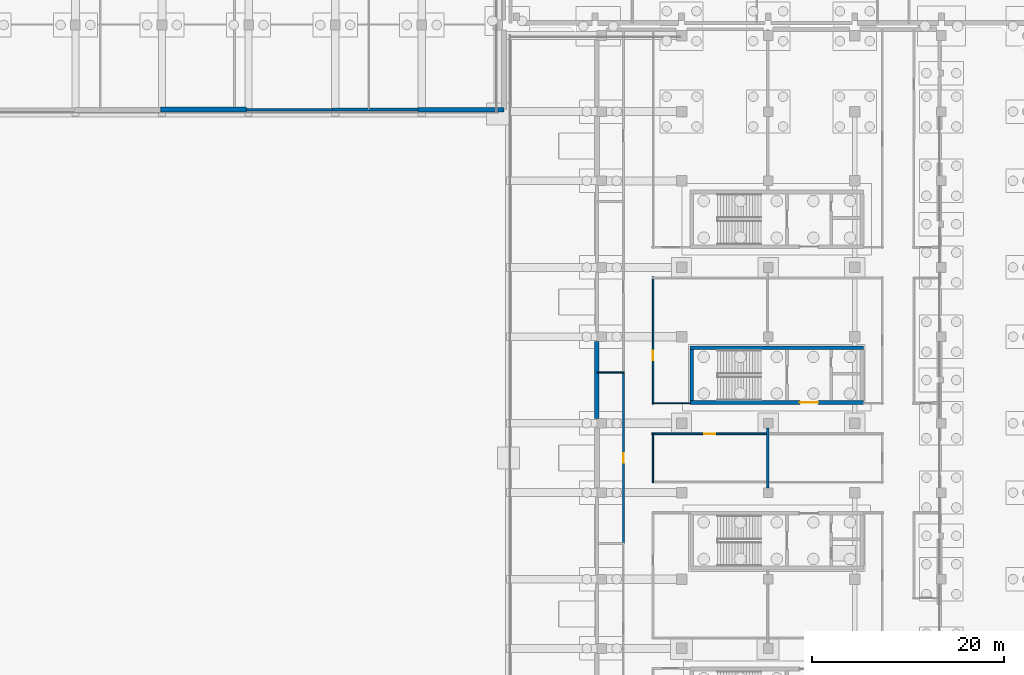
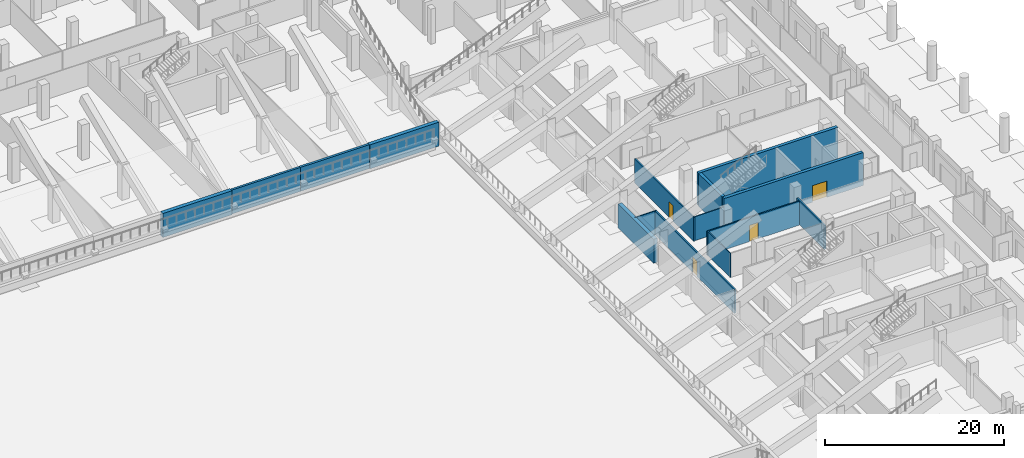
# One storey, part 29 of 53: 15 walls, 4 doors, 4 openings.
"""IFC4 building model written with IfcOpenShell, lengths in metres."""

from ifc_helpers import new_model, si_unit, direction, frame, frame_2d, origin, place, context, subcontext, project, spatial, rectangle, extrude, material, layer, layer_set, type_object, element, fill, save


model = new_model("IFC4")

# Units and contexts
model_context = context("Model", 3, precision=1e-05, world=origin(), true_north=direction((0.0, 1.0)))
body_context = subcontext(model_context, "Body", "Model", "MODEL_VIEW")
ifc_project = project(units=[si_unit("LENGTHUNIT", "METRE"), si_unit("AREAUNIT", "SQUARE_METRE"), si_unit("VOLUMEUNIT", "CUBIC_METRE"), si_unit("PLANEANGLEUNIT", "RADIAN"), si_unit("MASSUNIT", "GRAM", prefix="KILO"), si_unit("THERMODYNAMICTEMPERATUREUNIT", "KELVIN"), si_unit("POWERUNIT", "WATT")], contexts=[model_context])

# Site, building, storey
site_placement = place(None, origin())
site = spatial("IfcSite", under=ifc_project, at=site_placement, CompositionType="ELEMENT")
building_placement = place(site_placement, origin())
building = spatial("IfcBuilding", under=site, at=building_placement, Name="Sindhuravela Promenade Stadium", CompositionType="ELEMENT")
storey_placement = place(building_placement, origin())
storey = spatial("IfcBuildingStorey", under=building, at=storey_placement, Name="L00", CompositionType="ELEMENT", Elevation=0.0)

# Walls
ifc_material_1 = material(Name="Dholpur sandstone ashlar (45 MPa)", Category="masonry")
ifc_layer_1 = layer(ifc_material_1, 0.2900390625)
ifc_layer_set_1 = layer_set([ifc_layer_1], Name="Dholpur sandstone ashlar (45 MPa)")
wall_type_1 = type_object("IfcWallType", Name="EX-WL-SND290", PredefinedType="SOLIDWALL", material=ifc_layer_set_1)
wall_1_placement = place(storey_placement, frame((143.699951171875, 117.199951171875, 0.0), z_axis=(0.0, 0.0, 1.0), x_axis=(-1.0, 0.0, 0.0)))
element("IfcWall", 1, at=wall_1_placement, inside=storey, type_object=wall_type_1, Name="Exterior masonry wall EW10 NORTH L00", PredefinedType="SOLIDWALL", context=body_context, shape_type="SweptSolid", body=[
    extrude(rectangle(XDim=8.925048828125, YDim=0.2900390625, at=frame_2d((4.46240234375, 0.0))), origin(), (0.0, 0.0, 1.0), 3.280029296875),
])
ifc_layer_2 = layer(ifc_material_1, 0.31005859375)
ifc_layer_set_2 = layer_set([ifc_layer_2], Name="Dholpur sandstone ashlar (45 MPa)")
wall_type_2 = type_object("IfcWallType", Name="EX-WL-SND310", PredefinedType="SOLIDWALL", material=ifc_layer_set_2)
wall_2_placement = place(storey_placement, frame((152.625, 117.199951171875, 0.0), z_axis=(0.0, 0.0, 1.0), x_axis=(-1.0, 0.0, 0.0)))
element("IfcWall", 2, at=wall_2_placement, inside=storey, type_object=wall_type_2, Name="Exterior masonry wall EW09 NORTH L00", PredefinedType="SOLIDWALL", context=body_context, shape_type="SweptSolid", body=[
    extrude(rectangle(XDim=8.925048828125, YDim=0.31005859375, at=frame_2d((4.46240234375, 0.0))), origin(), (0.0, 0.0, 1.0), 3.280029296875),
])
ifc_layer_3 = layer(ifc_material_1, 0.47998046875)
ifc_layer_set_3 = layer_set([ifc_layer_3], Name="Dholpur sandstone ashlar (45 MPa)")
wall_type_3 = type_object("IfcWallType", Name="EX-WL-SND480", PredefinedType="SOLIDWALL", material=ifc_layer_set_3)
wall_3_placement = place(storey_placement, frame((171.199951171875, 85.10498046875, 0.0), z_axis=(0.0, 0.0, 1.0), x_axis=(0.0, 1.0, 0.0)))
element("IfcWall", 3, at=wall_3_placement, inside=storey, type_object=wall_type_3, Name="Exterior masonry wall EW08 EAST L00", PredefinedType="SOLIDWALL", context=body_context, shape_type="SweptSolid", body=[
    extrude(rectangle(XDim=7.989990234375, YDim=0.47998046875, at=frame_2d((3.9951171875, 0.0))), origin(), (0.0, 0.0, 1.0), 3.280029296875),
])
wall_4_placement = place(storey_placement, frame((161.550048828125, 117.199951171875, 0.0), z_axis=(0.0, 0.0, 1.0), x_axis=(-1.0, 0.0, 0.0)))
element("IfcWall", 4, at=wall_4_placement, inside=storey, type_object=wall_type_3, Name="Exterior masonry wall EW08 NORTH L00", PredefinedType="SOLIDWALL", context=body_context, shape_type="SweptSolid", body=[
    extrude(rectangle(XDim=8.925048828125, YDim=0.47998046875, at=frame_2d((4.46240234375, 0.0))), origin(), (0.0, 0.0, 1.0), 3.280029296875),
])
ifc_layer_4 = layer(ifc_material_1, 0.5)
ifc_layer_set_4 = layer_set([ifc_layer_4], Name="Dholpur sandstone ashlar (45 MPa)")
wall_type_4 = type_object("IfcWallType", Name="EX-WL-SND500", PredefinedType="SOLIDWALL", material=ifc_layer_set_4)
wall_5_placement = place(storey_placement, frame((134.77490234375, 117.199951171875, 0.0), z_axis=(0.0, 0.0, 1.0), x_axis=(-1.0, 0.0, 0.0)))
element("IfcWall", 5, at=wall_5_placement, inside=storey, type_object=wall_type_4, Name="Exterior masonry wall EW07 NORTH L00", PredefinedType="SOLIDWALL", context=body_context, shape_type="SweptSolid", body=[
    extrude(rectangle(XDim=8.9248046875, YDim=0.5, at=frame_2d((4.46240234375, 0.0))), origin(), (0.0, 0.0, 1.0), 3.280029296875),
])
ifc_material_2 = material(Name="Fire-rated gypsum partition board", Category="gypsum")
ifc_layer_5 = layer(ifc_material_2, 0.110107421875)
ifc_layer_set_5 = layer_set([ifc_layer_5], Name="Fire-rated gypsum partition board")
wall_type_5 = type_object("IfcWallType", Name="IN-WL-PAR110", PredefinedType="PARTITIONING", material=ifc_layer_set_5)
wall_6_placement = place(storey_placement, frame((180.89794921875, 86.68994140625, 0.0), z_axis=(0.0, 0.0, 1.0), x_axis=(-1.0, 0.0, 0.0)))
element("IfcWall", 6, at=wall_6_placement, inside=storey, type_object=wall_type_5, Name="Interior partition IW06 EAST L00", PredefinedType="PARTITIONING", context=body_context, shape_type="SweptSolid", body=[
    extrude(rectangle(XDim=3.93798828125, YDim=0.110107421875, at=frame_2d((1.968994140625, 0.0))), origin(), (0.0, 0.0, 1.0), 3.280029296875),
])
ifc_layer_6 = layer(ifc_material_2, 0.1298828125)
ifc_layer_set_6 = layer_set([ifc_layer_6], Name="Fire-rated gypsum partition board")
wall_type_6 = type_object("IfcWallType", Name="IN-WL-PAR130", PredefinedType="PARTITIONING", material=ifc_layer_set_6)
wall_7_placement = place(storey_placement, frame((177.0400390625, 78.409912109375, 0.0), z_axis=(0.0, 0.0, 1.0), x_axis=(0.0, 1.0, 0.0)))
element("IfcWall", 7, at=wall_7_placement, inside=storey, type_object=wall_type_6, Name="Interior partition IW05 EAST L00", PredefinedType="PARTITIONING", context=body_context, shape_type="SweptSolid", body=[
    extrude(rectangle(XDim=5.18017578125, YDim=0.1298828125, at=frame_2d((2.590087890625, 0.0))), origin(), (0.0, 0.0, 1.0), 3.280029296875),
])
wall_8_placement = place(storey_placement, frame((174.0400390625, 89.885986328125, 0.0), z_axis=(0.0, 0.0, 1.0), x_axis=(-1.0, 0.0, 0.0)))
element("IfcWall", 8, at=wall_8_placement, inside=storey, type_object=wall_type_6, Name="Interior partition IW05 EAST L00", PredefinedType="PARTITIONING", context=body_context, shape_type="SweptSolid", body=[
    extrude(rectangle(XDim=2.800048828125, YDim=0.1298828125, at=frame_2d((1.39990234375, 0.0))), origin(), (0.0, 0.0, 1.0), 3.280029296875),
])

# Wall, opening, door
ifc_layer_7 = layer(ifc_material_2, 0.175048828125)
ifc_layer_set_7 = layer_set([ifc_layer_7], Name="Fire-rated gypsum partition board")
wall_type_7 = type_object("IfcWallType", Name="IN-WL-PAR175", PredefinedType="PARTITIONING", material=ifc_layer_set_7)
wall_9_placement = place(storey_placement, frame((177.0400390625, 99.830078125, 0.0), z_axis=(0.0, 0.0, 1.0), x_axis=(0.0, -1.0, 0.0)))
wall_9 = element("IfcWall", 9, at=wall_9_placement, inside=storey, type_object=wall_type_7, Name="Corridor partition IW03 Catering Receiving Kitchen", PredefinedType="PARTITIONING", context=body_context, shape_type="SweptSolid", body=[
    extrude(rectangle(XDim=13.260009765625, YDim=0.175048828125, at=frame_2d((6.6298828125, 0.0))), origin(), (0.0, 0.0, 1.0), 3.280029296875),
])
opening_1_placement = place(wall_9_placement, frame((7.6923828125, 0.0, 0.0)))
opening_1 = element("IfcOpeningElement", 10, at=opening_1_placement, cuts=wall_9, Name="Opening ID08", PredefinedType="OPENING", context=body_context, shape_type="SweptSolid", body=[
    extrude(rectangle(XDim=1.0, YDim=2.10009765625, at=frame_2d((0.5, 1.050048828125))), frame((0.0, 0.097412109375, 0.0), z_axis=(0.0, -1.0, 0.0), x_axis=(1.0, 0.0, 0.0)), (0.0, 0.0, 1.0), 0.195068359375),
])
ifc_material_3 = material(Name="Architectural teak timber leaf", Category="wood")
door_type_1 = type_object("IfcDoorType", Name="DR-INT-1000x2100", OperationType="NOTDEFINED", PredefinedType="DOOR", material=ifc_material_3)
door_1_placement = place(opening_1_placement, origin())
door_1 = element("IfcDoor", 11, at=door_1_placement, inside=storey, type_object=door_type_1, Name="Catering Receiving Kitchen door", OperationType="SINGLE_SWING_RIGHT", OverallHeight=2.10009765625, OverallWidth=1.0, PredefinedType="DOOR", context=body_context, shape_type="SweptSolid", body=[
    extrude(rectangle(XDim=1.0, YDim=2.10009765625, at=frame_2d((0.5, 1.050048828125))), frame((0.0, 0.02490234375, 0.0), z_axis=(0.0, -1.0, 0.0), x_axis=(1.0, 0.0, 0.0)), (0.0, 0.0, 1.0), 0.050048828125),
])
fill(opening_1, door_1)

wall_10_placement = place(storey_placement, frame((188.949951171875, 83.510009765625, 0.0), z_axis=(0.0, 0.0, 1.0), x_axis=(-1.0, 0.0, 0.0)))
wall_10 = element("IfcWall", 12, at=wall_10_placement, inside=storey, type_object=wall_type_7, Name="Corridor partition IW03 Park Promenade Cafe 3", PredefinedType="PARTITIONING", context=body_context, shape_type="SweptSolid", body=[
    extrude(rectangle(XDim=12.030029296875, YDim=0.175048828125, at=frame_2d((6.01513671875, 0.0))), origin(), (0.0, 0.0, 1.0), 3.280029296875),
])
opening_2_placement = place(wall_10_placement, frame((5.455078125, 0.0, 0.0)))
opening_2 = element("IfcOpeningElement", 13, at=opening_2_placement, cuts=wall_10, Name="Opening ID13", PredefinedType="OPENING", context=body_context, shape_type="SweptSolid", body=[
    extrude(rectangle(XDim=1.1201171875, YDim=2.219970703125, at=frame_2d((0.56005859375, 1.10986328125))), frame((0.0, 0.097412109375, 0.0), z_axis=(0.0, -1.0, 0.0), x_axis=(1.0, 0.0, 0.0)), (0.0, 0.0, 1.0), 0.195068359375),
])
door_type_2 = type_object("IfcDoorType", Name="DR-INT-1120x2220", OperationType="NOTDEFINED", PredefinedType="DOOR", material=ifc_material_3)
door_2_placement = place(opening_2_placement, origin())
door_2 = element("IfcDoor", 14, at=door_2_placement, inside=storey, type_object=door_type_2, Name="Park Promenade Cafe 3 door", OperationType="SINGLE_SWING_LEFT", OverallHeight=2.219970703125, OverallWidth=1.1201171875, PredefinedType="DOOR", context=body_context, shape_type="SweptSolid", body=[
    extrude(rectangle(XDim=1.1201171875, YDim=2.219970703125, at=frame_2d((0.56005859375, 1.10986328125))), frame((0.0, 0.02490234375, 0.0), z_axis=(0.0, -1.0, 0.0), x_axis=(1.0, 0.0, 0.0)), (0.0, 0.0, 1.0), 0.050048828125),
])
fill(opening_2, door_2)

ifc_layer_8 = layer(ifc_material_2, 0.195068359375)
ifc_layer_set_8 = layer_set([ifc_layer_8], Name="Fire-rated gypsum partition board")
wall_type_8 = type_object("IfcWallType", Name="IN-WL-PAR195", PredefinedType="PARTITIONING", material=ifc_layer_set_8)
wall_11_placement = place(storey_placement, frame((173.9599609375, 72.114013671875, 0.0), z_axis=(0.0, 0.0, 1.0), x_axis=(0.0, 1.0, 0.0)))
wall_11 = element("IfcWall", 15, at=wall_11_placement, inside=storey, type_object=wall_type_8, Name="Corridor partition IW02 Accessible WC East L00 8", PredefinedType="PARTITIONING", context=body_context, shape_type="SweptSolid", body=[
    extrude(rectangle(XDim=17.77197265625, YDim=0.195068359375, at=frame_2d((8.885986328125, 0.0))), origin(), (0.0, 0.0, 1.0), 3.280029296875),
])
opening_3_placement = place(wall_11_placement, frame((8.385986328125, 0.0, 0.0)))
opening_3 = element("IfcOpeningElement", 16, at=opening_3_placement, cuts=wall_11, Name="Opening ID08", PredefinedType="OPENING", context=body_context, shape_type="SweptSolid", body=[
    extrude(rectangle(XDim=1.0, YDim=2.10009765625, at=frame_2d((0.5, 1.050048828125))), frame((0.0, 0.107421875, 0.0), z_axis=(0.0, -1.0, 0.0), x_axis=(1.0, 0.0, 0.0)), (0.0, 0.0, 1.0), 0.215087890625),
])
door_3_placement = place(opening_3_placement, origin())
door_3 = element("IfcDoor", 17, at=door_3_placement, inside=storey, type_object=door_type_1, Name="Accessible WC East L00 8 door", OperationType="SINGLE_SWING_RIGHT", OverallHeight=2.10009765625, OverallWidth=1.0, PredefinedType="DOOR", context=body_context, shape_type="SweptSolid", body=[
    extrude(rectangle(XDim=1.0, YDim=2.10009765625, at=frame_2d((0.5, 1.050048828125))), frame((0.0, 0.02490234375, 0.0), z_axis=(0.0, -1.0, 0.0), x_axis=(1.0, 0.0, 0.0)), (0.0, 0.0, 1.0), 0.050048828125),
])
fill(opening_3, door_3)

# Wall
ifc_layer_9 = layer(ifc_material_2, 0.219970703125)
ifc_layer_set_9 = layer_set([ifc_layer_9], Name="Fire-rated gypsum partition board")
wall_type_9 = type_object("IfcWallType", Name="IN-WL-PAR220", PredefinedType="PARTITIONING", material=ifc_layer_set_9)
wall_12_placement = place(storey_placement, frame((188.949951171875, 77.902099609375, 0.0), z_axis=(0.0, 0.0, 1.0), x_axis=(0.0, 1.0, 0.0)))
element("IfcWall", 18, at=wall_12_placement, inside=storey, type_object=wall_type_9, Name="Interior partition IW01 EAST L00", PredefinedType="PARTITIONING", context=body_context, shape_type="SweptSolid", body=[
    extrude(rectangle(XDim=6.19580078125, YDim=0.219970703125, at=frame_2d((3.097900390625, 0.0))), origin(), (0.0, 0.0, 1.0), 3.280029296875),
])

# Wall, opening, door
ifc_material_4 = material(Name="Concrete M50", Category="concrete")
ifc_layer_10 = layer(ifc_material_4, 0.39990234375)
ifc_layer_set_10 = layer_set([ifc_layer_10], Name="Concrete M50")
wall_type_10 = type_object("IfcWallType", Name="RC-SW-400", PredefinedType="SHEAR", material=ifc_layer_set_10)
wall_13_placement = place(storey_placement, frame((180.89990234375, 86.75, 0.0), z_axis=(0.0, 0.0, 1.0), x_axis=(1.0, 0.0, 0.0)))
wall_13 = element("IfcWall", 19, at=wall_13_placement, inside=storey, type_object=wall_type_10, Name="Core shear wall C07-S (L00)", PredefinedType="SHEAR", context=body_context, shape_type="SweptSolid", body=[
    extrude(rectangle(XDim=18.0, YDim=0.39990234375, at=frame_2d((9.0, 0.0))), origin(), (0.0, 0.0, 1.0), 4.5),
])
opening_4_placement = place(wall_13_placement, frame((11.39990234375, 0.0, 0.0)))
opening_4 = element("IfcOpeningElement", 20, at=opening_4_placement, cuts=wall_13, Name="Opening FD02", PredefinedType="OPENING", context=body_context, shape_type="SweptSolid", body=[
    extrude(rectangle(XDim=1.89990234375, YDim=2.25, at=frame_2d((0.949951171875, 1.125))), frame((0.0, 0.2099609375, 0.0), z_axis=(0.0, -1.0, 0.0), x_axis=(1.0, 0.0, 0.0)), (0.0, 0.0, 1.0), 0.419921875),
])
ifc_material_5 = material(Name="Architectural wrought steel E350", Category="steel")
door_type_3 = type_object("IfcDoorType", Name="DR-LOB-1900x2250", OperationType="DOUBLE_DOOR_SINGLE_SWING", PredefinedType="DOOR", material=ifc_material_5)
door_4_placement = place(opening_4_placement, origin())
door_4 = element("IfcDoor", 21, at=door_4_placement, inside=storey, type_object=door_type_3, Name="Protected lobby entrance door C07 (L00)", OperationType="DOUBLE_DOOR_SINGLE_SWING", OverallHeight=2.25, OverallWidth=1.89990234375, PredefinedType="DOOR", context=body_context, shape_type="SweptSolid", body=[
    extrude(rectangle(XDim=1.89990234375, YDim=2.25, at=frame_2d((0.949951171875, 1.125))), frame((0.0, 0.02490234375, 0.0), z_axis=(0.0, -1.0, 0.0), x_axis=(1.0, 0.0, 0.0)), (0.0, 0.0, 1.0), 0.050048828125),
])
fill(opening_4, door_4)

# Walls
wall_14_placement = place(storey_placement, frame((198.89990234375, 92.449951171875, 0.0), z_axis=(0.0, 0.0, 1.0), x_axis=(-1.0, 0.0, 0.0)))
element("IfcWall", 22, at=wall_14_placement, inside=storey, type_object=wall_type_10, Name="Core shear wall C07-N (L00)", PredefinedType="SHEAR", context=body_context, shape_type="SweptSolid", body=[
    extrude(rectangle(XDim=18.0, YDim=0.39990234375, at=frame_2d((9.0, 0.0))), origin(), (0.0, 0.0, 1.0), 4.5),
])
wall_15_placement = place(storey_placement, frame((181.050048828125, 92.25, 0.0), z_axis=(0.0, 0.0, 1.0), x_axis=(0.0, -1.0, 0.0)))
element("IfcWall", 23, at=wall_15_placement, inside=storey, type_object=wall_type_10, Name="Core shear wall C07-W (L00)", PredefinedType="SHEAR", context=body_context, shape_type="SweptSolid", body=[
    extrude(rectangle(XDim=5.300048828125, YDim=0.39990234375, at=frame_2d((2.64990234375, 0.0))), origin(), (0.0, 0.0, 1.0), 4.5),
])

save(model, "model.ifc")
